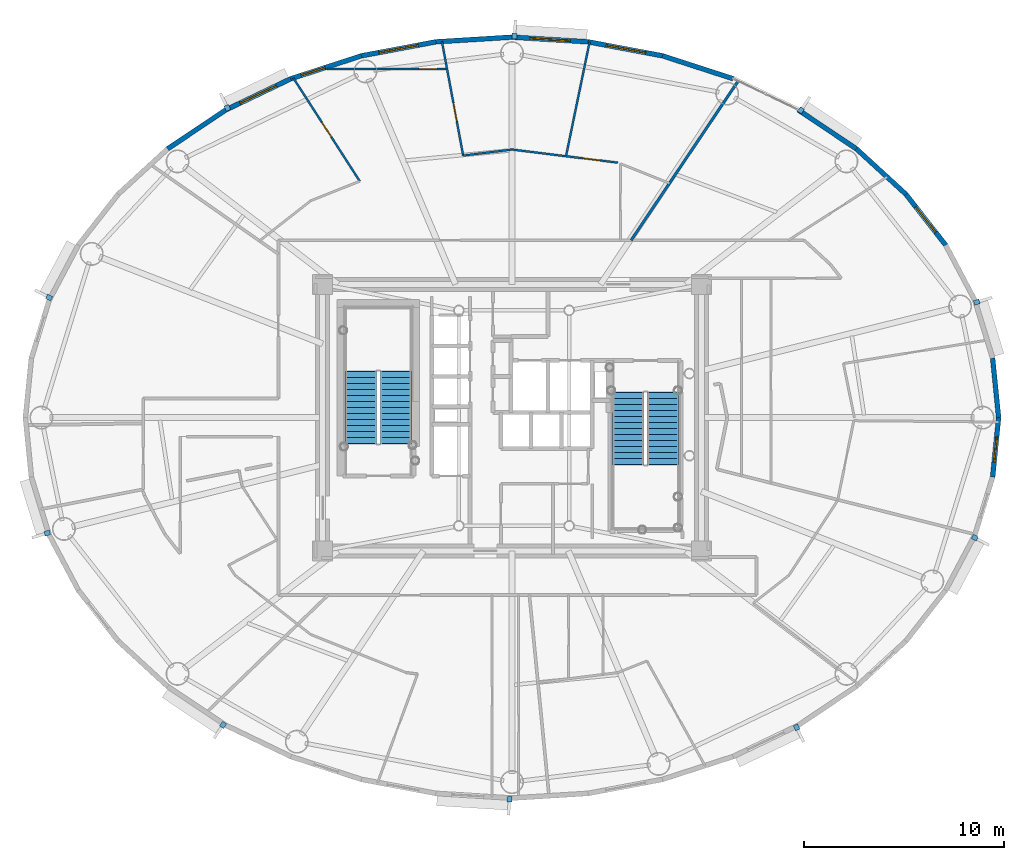
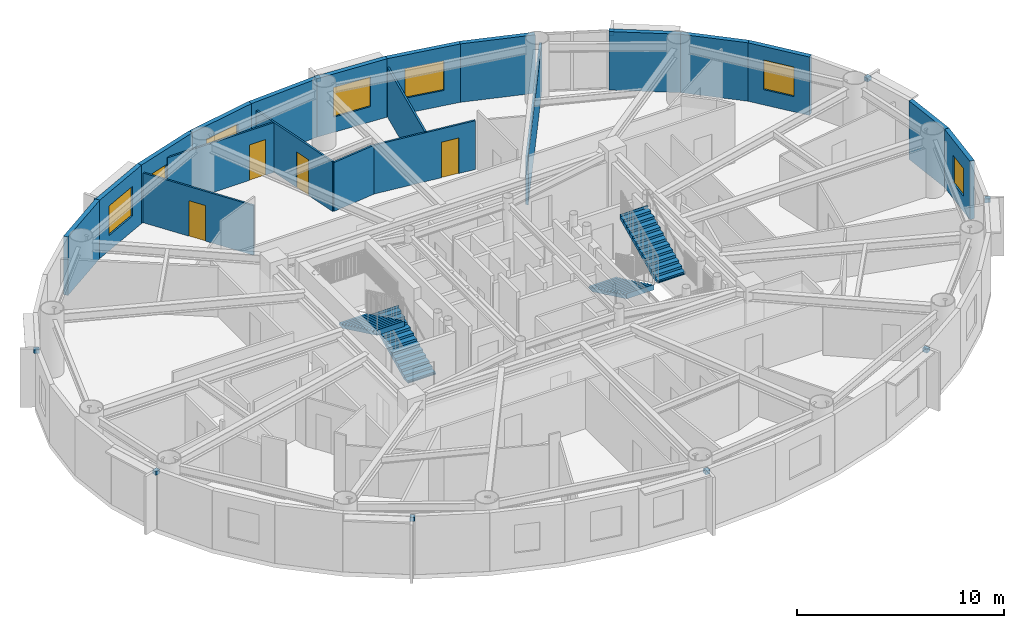
# One storey, part 11 of 18: 20 walls, 10 discrete accessories, 7 windows, 4 doors, 4 stair flights, 11 openings, 2 elements without a shape of their own.
"""IFC4 building model written with IfcOpenShell, lengths in metres."""

from ifc_helpers import new_model, si_unit, direction, frame, frame_2d, origin, origin_2d, place, context, subcontext, project, spatial, polyline, rectangle, outline, extrude, source, transform, mapped, material, layer, layer_set, type_object, element, fill, aggregate, save


model = new_model("IFC4")

# Units and contexts
model_context = context("Model", 3, precision=1e-05, world=origin(), true_north=direction((0.0, 1.0)))
body_context = subcontext(model_context, "Body", "Model", "MODEL_VIEW")
ifc_project = project(units=[si_unit("LENGTHUNIT", "METRE"), si_unit("AREAUNIT", "SQUARE_METRE"), si_unit("VOLUMEUNIT", "CUBIC_METRE"), si_unit("PLANEANGLEUNIT", "RADIAN"), si_unit("MASSUNIT", "GRAM", prefix="KILO")], contexts=[model_context])

# Site, building, storey
site_placement = place(None, origin())
site = spatial("IfcSite", under=ifc_project, at=site_placement, CompositionType="ELEMENT")
building_placement = place(site_placement, origin())
building = spatial("IfcBuilding", under=site, at=building_placement, Name="Linh Dai School and Residence Tower", CompositionType="ELEMENT")
storey_placement = place(building_placement, frame((0.0, 0.0, 259.050048828125)))
storey = spatial("IfcBuildingStorey", under=building, at=storey_placement, Name="L64", CompositionType="ELEMENT", Elevation=259.050048828125)

# Wall
ifc_material_1 = material(Name="Precast Concrete B45 (C35/45)", Category="concrete")
ifc_layer_1 = layer(ifc_material_1, 0.239990234375)
ifc_layer_set_1 = layer_set([ifc_layer_1], Name="Precast Concrete B45 (C35/45)")
wall_type_1 = type_object("IfcWallType", Name="EW-TC-240", PredefinedType="SOLIDWALL", material=ifc_layer_set_1)
wall_1_placement = place(storey_placement, frame((59.97705078125, 29.9638671875, 0.0), z_axis=(0.0, 0.0, 1.0), x_axis=(0.099990595253, -0.994988382274, 0.0)))
element("IfcWall", 1, at=wall_1_placement, inside=storey, type_object=wall_type_1, Name="L64 Terracotta Exterior Wall 01", PredefinedType="SOLIDWALL", context=body_context, shape_type="SweptSolid", body=[
    extrude(rectangle(XDim=2.978759765625, YDim=0.239990234375, at=frame_2d((1.4892578125, 0.0))), origin(), (0.0, 0.0, 1.0), 3.449951171875),
])

# Wall, opening, window
wall_2_placement = place(storey_placement, frame((55.6484375, 38.14453125, 0.0), z_axis=(0.0, 0.0, 1.0), x_axis=(0.616312344705, -0.787501805562, 0.0)))
wall_2 = element("IfcWall", 2, at=wall_2_placement, inside=storey, type_object=wall_type_1, Name="L64 Terracotta Exterior Wall 04", PredefinedType="SOLIDWALL", context=body_context, shape_type="SweptSolid", body=[
    extrude(rectangle(XDim=3.224609375, YDim=0.239990234375, at=frame_2d((1.6123046875, 0.0))), origin(), (0.0, 0.0, 1.0), 3.449951171875),
])
opening_1_placement = place(wall_2_placement, frame((0.81201171875, 0.0, 0.89990234375)))
opening_1 = element("IfcOpeningElement", 3, at=opening_1_placement, cuts=wall_2, Name="Opening W2", PredefinedType="OPENING", context=body_context, shape_type="SweptSolid", body=[
    extrude(rectangle(XDim=1.60009765625, YDim=1.75, at=origin_2d()), frame((0.800048828125, 0.1298828125, 0.875), z_axis=(0.0, -1.0, 0.0), x_axis=(1.0, 0.0, 0.0)), (0.0, 0.0, 1.0), 0.260009765625),
])
ifc_material_2 = material(Name="Double Low-E Insulated Glazing", Category="glass")
window_type_1 = type_object("IfcWindowType", Name="WN-RES-1600x1750", PartitioningType="DOUBLE_PANEL_VERTICAL", PredefinedType="WINDOW", material=ifc_material_2)
shared_shape_1 = source(origin(), body_context, "Body", "SweptSolid", [
    extrude(rectangle(XDim=1.60009765625, YDim=1.75, at=origin_2d()), frame((0.800048828125, 0.030029296875, 0.875), z_axis=(0.0, -1.0, 0.0), x_axis=(1.0, 0.0, 0.0)), (0.0, 0.0, 1.0), 0.06005859375),
])
window_1_placement = place(opening_1_placement, origin())
window_1 = element("IfcWindow", 4, at=window_1_placement, inside=storey, type_object=window_type_1, Name="L64 Exterior Window 04.1", OverallHeight=1.75, OverallWidth=1.60009765625, PartitioningType="DOUBLE_PANEL_VERTICAL", PredefinedType="WINDOW", context=body_context, shape_type="MappedRepresentation", body=[
    mapped(shared_shape_1, transform((0.0, 0.0, 0.0), x_axis=(1.0, 0.0, 0.0), y_axis=(0.0, 1.0, 0.0), z_axis=(0.0, 0.0, 1.0), scale=1.0)),
])
fill(opening_1, window_1)

# Walls
wall_3_placement = place(storey_placement, frame((53.17626953125, 40.410888671875, 0.0), z_axis=(0.0, 0.0, 1.0), x_axis=(0.737123922599, -0.675757591694, 0.0)))
element("IfcWall", 5, at=wall_3_placement, inside=storey, type_object=wall_type_1, Name="L64 Terracotta Exterior Wall 05", PredefinedType="SOLIDWALL", context=body_context, shape_type="SweptSolid", body=[
    extrude(rectangle(XDim=3.353759765625, YDim=0.239990234375, at=frame_2d((1.6767578125, 0.0))), origin(), (0.0, 0.0, 1.0), 3.449951171875),
])
wall_4_placement = place(storey_placement, frame((50.280029296875, 42.34765625, 0.0), z_axis=(0.0, 0.0, 1.0), x_axis=(0.831262496074, -0.555880079352, 0.0)))
element("IfcWall", 6, at=wall_4_placement, inside=storey, type_object=wall_type_1, Name="L64 Terracotta Exterior Wall 06", PredefinedType="SOLIDWALL", context=body_context, shape_type="SweptSolid", body=[
    extrude(rectangle(XDim=3.484130859375, YDim=0.239990234375, at=frame_2d((1.7421875, 0.0))), origin(), (0.0, 0.0, 1.0), 3.449951171875),
])
wall_5_placement = place(storey_placement, frame((43.50927734375, 45.048828125, 0.0), z_axis=(0.0, 0.0, 1.0), x_axis=(0.951210789182, -0.308541787354, 0.0)))
element("IfcWall", 7, at=wall_5_placement, inside=storey, type_object=wall_type_1, Name="L64 Terracotta Exterior Wall 08", PredefinedType="SOLIDWALL", context=body_context, shape_type="SweptSolid", body=[
    extrude(rectangle(XDim=3.702392578125, YDim=0.239990234375, at=frame_2d((1.85107421875, 0.0))), origin(), (0.0, 0.0, 1.0), 3.449951171875),
])

# Wall, opening, window
wall_6_placement = place(storey_placement, frame((39.801513671875, 45.745849609375, 0.0), z_axis=(0.0, 0.0, 1.0), x_axis=(0.982784898575, -0.184753465822, 0.0)))
wall_6 = element("IfcWall", 8, at=wall_6_placement, inside=storey, type_object=wall_type_1, Name="L64 Terracotta Exterior Wall 09", PredefinedType="SOLIDWALL", context=body_context, shape_type="SweptSolid", body=[
    extrude(rectangle(XDim=3.772705078125, YDim=0.239990234375, at=frame_2d((1.88623046875, 0.0))), origin(), (0.0, 0.0, 1.0), 3.449951171875),
])
opening_2_placement = place(wall_6_placement, frame((0.915771484375, 0.0, 0.89990234375)))
opening_2 = element("IfcOpeningElement", 9, at=opening_2_placement, cuts=wall_6, Name="Opening W1", PredefinedType="OPENING", context=body_context, shape_type="SweptSolid", body=[
    extrude(rectangle(XDim=2.0, YDim=1.75, at=origin_2d()), frame((1.0, 0.1298828125, 0.875), z_axis=(0.0, -1.0, 0.0), x_axis=(1.0, 0.0, 0.0)), (0.0, 0.0, 1.0), 0.260009765625),
])
window_type_2 = type_object("IfcWindowType", Name="WN-RES-2000x1750", PartitioningType="DOUBLE_PANEL_VERTICAL", PredefinedType="WINDOW", material=ifc_material_2)
shared_shape_2 = source(origin(), body_context, "Body", "SweptSolid", [
    extrude(rectangle(XDim=2.0, YDim=1.75, at=origin_2d()), frame((1.0, 0.030029296875, 0.875), z_axis=(0.0, -1.0, 0.0), x_axis=(1.0, 0.0, 0.0)), (0.0, 0.0, 1.0), 0.06005859375),
])
window_2_placement = place(opening_2_placement, origin())
window_2 = element("IfcWindow", 10, at=window_2_placement, inside=storey, type_object=window_type_2, Name="L64 Exterior Window 09.1", OverallHeight=1.75, OverallWidth=2.0, PartitioningType="DOUBLE_PANEL_VERTICAL", PredefinedType="WINDOW", context=body_context, shape_type="MappedRepresentation", body=[
    mapped(shared_shape_2, transform((0.0, 0.0, 0.0), x_axis=(1.0, 0.0, 0.0), y_axis=(0.0, 1.0, 0.0), z_axis=(0.0, 0.0, 1.0), scale=1.0)),
])
fill(opening_2, window_2)

wall_7_placement = place(storey_placement, frame((36.0, 45.97998046875, 0.0), z_axis=(0.0, 0.0, 1.0), x_axis=(0.998108785312, -0.06147237333, 0.0)))
wall_7 = element("IfcWall", 11, at=wall_7_placement, inside=storey, type_object=wall_type_1, Name="L64 Terracotta Exterior Wall 10", PredefinedType="SOLIDWALL", context=body_context, shape_type="SweptSolid", body=[
    extrude(rectangle(XDim=3.808837890625, YDim=0.239990234375, at=frame_2d((1.904296875, 0.0))), origin(), (0.0, 0.0, 1.0), 3.449951171875),
])
opening_3_placement = place(wall_7_placement, frame((0.904296875, 0.0, 0.89990234375)))
opening_3 = element("IfcOpeningElement", 12, at=opening_3_placement, cuts=wall_7, Name="Opening W1", PredefinedType="OPENING", context=body_context, shape_type="SweptSolid", body=[
    extrude(rectangle(XDim=2.0, YDim=1.75, at=origin_2d()), frame((1.0, 0.1298828125, 0.875), z_axis=(0.0, -1.0, 0.0), x_axis=(1.0, 0.0, 0.0)), (0.0, 0.0, 1.0), 0.260009765625),
])
window_3_placement = place(opening_3_placement, origin())
window_3 = element("IfcWindow", 13, at=window_3_placement, inside=storey, type_object=window_type_2, Name="L64 Exterior Window 10.1", OverallHeight=1.75, OverallWidth=2.0, PartitioningType="DOUBLE_PANEL_VERTICAL", PredefinedType="WINDOW", context=body_context, shape_type="MappedRepresentation", body=[
    mapped(shared_shape_2, transform((0.0, 0.0, 0.0), x_axis=(1.0, 0.0, 0.0), y_axis=(0.0, 1.0, 0.0), z_axis=(0.0, 0.0, 1.0), scale=1.0)),
])
fill(opening_3, window_3)

# Wall
wall_8_placement = place(storey_placement, frame((32.198486328125, 45.745849609375, 0.0), z_axis=(0.0, 0.0, 1.0), x_axis=(0.998108785312, 0.06147237333, 0.0)))
element("IfcWall", 14, at=wall_8_placement, inside=storey, type_object=wall_type_1, Name="L64 Terracotta Exterior Wall 11", PredefinedType="SOLIDWALL", context=body_context, shape_type="SweptSolid", body=[
    extrude(rectangle(XDim=3.808837890625, YDim=0.239990234375, at=frame_2d((1.904296875, 0.0))), origin(), (0.0, 0.0, 1.0), 3.449951171875),
])

# Wall, opening, window
wall_9_placement = place(storey_placement, frame((28.49072265625, 45.048828125, 0.0), z_axis=(0.0, 0.0, 1.0), x_axis=(0.982784898575, 0.184753465822, 0.0)))
wall_9 = element("IfcWall", 15, at=wall_9_placement, inside=storey, type_object=wall_type_1, Name="L64 Terracotta Exterior Wall 12", PredefinedType="SOLIDWALL", context=body_context, shape_type="SweptSolid", body=[
    extrude(rectangle(XDim=3.772705078125, YDim=0.239990234375, at=frame_2d((1.88623046875, 0.0))), origin(), (0.0, 0.0, 1.0), 3.449951171875),
])
opening_4_placement = place(wall_9_placement, frame((0.88623046875, 0.0, 0.89990234375)))
opening_4 = element("IfcOpeningElement", 16, at=opening_4_placement, cuts=wall_9, Name="Opening W1", PredefinedType="OPENING", context=body_context, shape_type="SweptSolid", body=[
    extrude(rectangle(XDim=2.0, YDim=1.75, at=origin_2d()), frame((1.0, 0.1298828125, 0.875), z_axis=(0.0, -1.0, 0.0), x_axis=(1.0, 0.0, 0.0)), (0.0, 0.0, 1.0), 0.260009765625),
])
window_4_placement = place(opening_4_placement, origin())
window_4 = element("IfcWindow", 17, at=window_4_placement, inside=storey, type_object=window_type_2, Name="L64 Exterior Window 12.1", OverallHeight=1.75, OverallWidth=2.0, PartitioningType="DOUBLE_PANEL_VERTICAL", PredefinedType="WINDOW", context=body_context, shape_type="MappedRepresentation", body=[
    mapped(shared_shape_2, transform((0.0, 0.0, 0.0), x_axis=(1.0, 0.0, 0.0), y_axis=(0.0, 1.0, 0.0), z_axis=(0.0, 0.0, 1.0), scale=1.0)),
])
fill(opening_4, window_4)

wall_10_placement = place(storey_placement, frame((24.968994140625, 43.906494140625, 0.0), z_axis=(0.0, 0.0, 1.0), x_axis=(0.951210789182, 0.308541787354, 0.0)))
wall_10 = element("IfcWall", 18, at=wall_10_placement, inside=storey, type_object=wall_type_1, Name="L64 Terracotta Exterior Wall 13", PredefinedType="SOLIDWALL", context=body_context, shape_type="SweptSolid", body=[
    extrude(rectangle(XDim=3.702392578125, YDim=0.239990234375, at=frame_2d((1.85107421875, 0.0))), origin(), (0.0, 0.0, 1.0), 3.449951171875),
])
opening_5_placement = place(wall_10_placement, frame((0.542236328125, 0.0, 0.89990234375)))
opening_5 = element("IfcOpeningElement", 19, at=opening_5_placement, cuts=wall_10, Name="Opening W3", PredefinedType="OPENING", context=body_context, shape_type="SweptSolid", body=[
    extrude(rectangle(XDim=1.25, YDim=1.64990234375, at=origin_2d()), frame((0.625, 0.1298828125, 0.824951171875), z_axis=(0.0, -1.0, 0.0), x_axis=(1.0, 0.0, 0.0)), (0.0, 0.0, 1.0), 0.260009765625),
])
window_type_3 = type_object("IfcWindowType", Name="WN-RES-1250x1650", PartitioningType="SINGLE_PANEL", PredefinedType="WINDOW", material=ifc_material_2)
shared_shape_3 = source(origin(), body_context, "Body", "SweptSolid", [
    extrude(rectangle(XDim=1.25, YDim=1.64990234375, at=origin_2d()), frame((0.625, 0.030029296875, 0.824951171875), z_axis=(0.0, -1.0, 0.0), x_axis=(1.0, 0.0, 0.0)), (0.0, 0.0, 1.0), 0.06005859375),
])
window_5_placement = place(opening_5_placement, origin())
window_5 = element("IfcWindow", 20, at=window_5_placement, inside=storey, type_object=window_type_3, Name="L64 Dwelling Window U6405-LIV", OverallHeight=1.64990234375, OverallWidth=1.25, PartitioningType="SINGLE_PANEL", PredefinedType="WINDOW", context=body_context, shape_type="MappedRepresentation", body=[
    mapped(shared_shape_3, transform((0.0, 0.0, 0.0), x_axis=(1.0, 0.0, 0.0), y_axis=(0.0, 1.0, 0.0), z_axis=(0.0, 0.0, 1.0), scale=1.0)),
])
fill(opening_5, window_5)

wall_11_placement = place(storey_placement, frame((21.719970703125, 42.34765625, 0.0), z_axis=(0.0, 0.0, 1.0), x_axis=(0.901598104751, 0.432574684313, 0.0)))
wall_11 = element("IfcWall", 21, at=wall_11_placement, inside=storey, type_object=wall_type_1, Name="L64 Terracotta Exterior Wall 14", PredefinedType="SOLIDWALL", context=body_context, shape_type="SweptSolid", body=[
    extrude(rectangle(XDim=3.603515625, YDim=0.239990234375, at=frame_2d((1.8017578125, 0.0))), origin(), (0.0, 0.0, 1.0), 3.449951171875),
])
opening_6_placement = place(wall_11_placement, frame((0.802001953125, 0.0, 0.89990234375)))
opening_6 = element("IfcOpeningElement", 22, at=opening_6_placement, cuts=wall_11, Name="Opening W1", PredefinedType="OPENING", context=body_context, shape_type="SweptSolid", body=[
    extrude(rectangle(XDim=2.0, YDim=1.75, at=origin_2d()), frame((1.0, 0.1298828125, 0.875), z_axis=(0.0, -1.0, 0.0), x_axis=(1.0, 0.0, 0.0)), (0.0, 0.0, 1.0), 0.260009765625),
])
window_6_placement = place(opening_6_placement, origin())
window_6 = element("IfcWindow", 23, at=window_6_placement, inside=storey, type_object=window_type_2, Name="L64 Exterior Window 14.1", OverallHeight=1.75, OverallWidth=2.0, PartitioningType="DOUBLE_PANEL_VERTICAL", PredefinedType="WINDOW", context=body_context, shape_type="MappedRepresentation", body=[
    mapped(shared_shape_2, transform((0.0, 0.0, 0.0), x_axis=(1.0, 0.0, 0.0), y_axis=(0.0, 1.0, 0.0), z_axis=(0.0, 0.0, 1.0), scale=1.0)),
])
fill(opening_6, window_6)

# Wall
wall_12_placement = place(storey_placement, frame((18.82373046875, 40.410888671875, 0.0), z_axis=(0.0, 0.0, 1.0), x_axis=(0.831262496074, 0.555880079352, 0.0)))
element("IfcWall", 24, at=wall_12_placement, inside=storey, type_object=wall_type_1, Name="L64 Terracotta Exterior Wall 15", PredefinedType="SOLIDWALL", context=body_context, shape_type="SweptSolid", body=[
    extrude(rectangle(XDim=3.484130859375, YDim=0.239990234375, at=frame_2d((1.7421875, 0.0))), origin(), (0.0, 0.0, 1.0), 3.449951171875),
])

# Wall, opening, window
wall_13_placement = place(storey_placement, frame((60.27490234375, 27.0, 0.0), z_axis=(0.0, 0.0, 1.0), x_axis=(-0.099990595253, -0.994988382274, 0.0)))
wall_13 = element("IfcWall", 25, at=wall_13_placement, inside=storey, type_object=wall_type_1, Name="L64 Terracotta Exterior Wall 40", PredefinedType="SOLIDWALL", context=body_context, shape_type="SweptSolid", body=[
    extrude(rectangle(XDim=2.978759765625, YDim=0.239990234375, at=frame_2d((1.4892578125, 0.0))), origin(), (0.0, 0.0, 1.0), 3.449951171875),
])
opening_7_placement = place(wall_13_placement, frame((0.9736328125, 0.0, 0.89990234375)))
opening_7 = element("IfcOpeningElement", 26, at=opening_7_placement, cuts=wall_13, Name="Opening W3", PredefinedType="OPENING", context=body_context, shape_type="SweptSolid", body=[
    extrude(rectangle(XDim=1.25, YDim=1.64990234375, at=origin_2d()), frame((0.625, 0.1298828125, 0.824951171875), z_axis=(0.0, -1.0, 0.0), x_axis=(1.0, 0.0, 0.0)), (0.0, 0.0, 1.0), 0.260009765625),
])
window_7_placement = place(opening_7_placement, origin())
window_7 = element("IfcWindow", 27, at=window_7_placement, inside=storey, type_object=window_type_3, Name="L64 Exterior Window 40.1", OverallHeight=1.64990234375, OverallWidth=1.25, PartitioningType="SINGLE_PANEL", PredefinedType="WINDOW", context=body_context, shape_type="MappedRepresentation", body=[
    mapped(shared_shape_3, transform((0.0, 0.0, 0.0), x_axis=(1.0, 0.0, 0.0), y_axis=(0.0, 1.0, 0.0), z_axis=(0.0, 0.0, 1.0), scale=1.0)),
])
fill(opening_7, window_7)

# Wall
ifc_material_3 = material(Name="Autoclaved Aerated Concrete Blockwork", Category="masonry")
ifc_layer_2 = layer(ifc_material_3, 0.135009765625)
ifc_layer_set_2 = layer_set([ifc_layer_2], Name="Autoclaved Aerated Concrete Blockwork")
wall_type_2 = type_object("IfcWallType", Name="IW-CORR-135-EI90", PredefinedType="PARTITIONING", material=ifc_layer_set_2)
wall_14_placement = place(storey_placement, frame((41.94580078125, 35.85009765625, 0.0), z_axis=(0.0, 0.0, 1.0), x_axis=(0.557670345873, 0.830062518931, 0.0)))
element("IfcWall", 28, at=wall_14_placement, inside=storey, type_object=wall_type_2, Name="L64 Interior Partition Wall 072", PredefinedType="PARTITIONING", context=body_context, shape_type="SweptSolid", body=[
    extrude(rectangle(XDim=9.56787109375, YDim=0.135009765625, at=frame_2d((4.783935546875, 0.0))), origin(), (0.0, 0.0, 1.0), 2.885009765625),
])

# Wall, opening, door
ifc_material_4 = material(Name="Gypsum Plasterboard Acoustic Stud Partition", Category="masonry")
ifc_layer_3 = layer(ifc_material_4, 0.10009765625)
ifc_layer_set_3 = layer_set([ifc_layer_3], Name="Gypsum Plasterboard Acoustic Stud Partition")
wall_type_3 = type_object("IfcWallType", Name="IW-UNIT-100", PredefinedType="PARTITIONING", material=ifc_layer_set_3)
wall_15_placement = place(storey_placement, frame((25.08642578125, 43.949951171875, 0.0), z_axis=(0.0, 0.0, 1.0), x_axis=(0.54137931016, -0.840778474112, 0.0)))
wall_15 = element("IfcWall", 29, at=wall_15_placement, inside=storey, type_object=wall_type_3, Name="L64 Interior Partition Wall 021", PredefinedType="PARTITIONING", context=body_context, shape_type="SweptSolid", body=[
    extrude(rectangle(XDim=6.13134765625, YDim=0.10009765625, at=frame_2d((3.065673828125, 0.0))), origin(), (0.0, 0.0, 1.0), 2.93505859375),
])
opening_8_placement = place(wall_15_placement, frame((2.615478515625, 0.0, 0.0)))
opening_8 = element("IfcOpeningElement", 30, at=opening_8_placement, cuts=wall_15, Name="Opening D05", PredefinedType="OPENING", context=body_context, shape_type="SweptSolid", body=[
    extrude(rectangle(XDim=0.89990234375, YDim=2.10009765625, at=origin_2d()), frame((0.449951171875, 0.06005859375, 1.050048828125), z_axis=(0.0, -1.0, 0.0), x_axis=(1.0, 0.0, 0.0)), (0.0, 0.0, 1.0), 0.1201171875),
])
ifc_material_5 = material(Name="Engineered Timber Internal Door", Category="wood")
door_type = type_object("IfcDoorType", Name="DR-INT-900x2100", OperationType="NOTDEFINED", PredefinedType="DOOR", material=ifc_material_5)
shared_shape_4 = source(origin(), body_context, "Body", "SweptSolid", [
    extrude(rectangle(XDim=0.89990234375, YDim=2.10009765625, at=origin_2d()), frame((0.449951171875, 0.02490234375, 1.050048828125), z_axis=(0.0, -1.0, 0.0), x_axis=(1.0, 0.0, 0.0)), (0.0, 0.0, 1.0), 0.050048828125),
])
door_1_placement = place(opening_8_placement, origin())
door_1 = element("IfcDoor", 31, at=door_1_placement, inside=storey, type_object=door_type, Name="L64 Apartment U6405 Principal Bedroom 3 Door", OperationType="SINGLE_SWING_RIGHT", OverallHeight=2.10009765625, OverallWidth=0.89990234375, PredefinedType="DOOR", context=body_context, shape_type="MappedRepresentation", body=[
    mapped(shared_shape_4, transform((0.0, 0.0, 0.0), x_axis=(1.0, 0.0, 0.0), y_axis=(0.0, 1.0, 0.0), z_axis=(0.0, 0.0, 1.0), scale=1.0)),
])
fill(opening_8, door_1)

wall_16_placement = place(storey_placement, frame((26.771728515625, 44.383056640625, 0.0), z_axis=(0.0, 0.0, 1.0), x_axis=(1.0, 0.0, 0.0)))
wall_16 = element("IfcWall", 32, at=wall_16_placement, inside=storey, type_object=wall_type_3, Name="L64 Interior Partition Wall 024", PredefinedType="PARTITIONING", context=body_context, shape_type="SweptSolid", body=[
    extrude(rectangle(XDim=5.989990234375, YDim=0.10009765625, at=frame_2d((2.9951171875, 0.0))), origin(), (0.0, 0.0, 1.0), 2.93505859375),
])
opening_9_placement = place(wall_16_placement, frame((4.58203125, 0.0, 0.0)))
opening_9 = element("IfcOpeningElement", 33, at=opening_9_placement, cuts=wall_16, Name="Opening D05", PredefinedType="OPENING", context=body_context, shape_type="SweptSolid", body=[
    extrude(rectangle(XDim=0.89990234375, YDim=2.10009765625, at=origin_2d()), frame((0.449951171875, 0.06005859375, 1.050048828125), z_axis=(0.0, -1.0, 0.0), x_axis=(1.0, 0.0, 0.0)), (0.0, 0.0, 1.0), 0.1201171875),
])
door_2_placement = place(opening_9_placement, origin())
door_2 = element("IfcDoor", 34, at=door_2_placement, inside=storey, type_object=door_type, Name="L64 Apartment U6405 Kitchen Door", OperationType="SINGLE_SWING_RIGHT", OverallHeight=2.10009765625, OverallWidth=0.89990234375, PredefinedType="DOOR", context=body_context, shape_type="MappedRepresentation", body=[
    mapped(shared_shape_4, transform((0.0, 0.0, 0.0), x_axis=(1.0, 0.0, 0.0), y_axis=(0.0, 1.0, 0.0), z_axis=(0.0, 0.0, 1.0), scale=1.0)),
])
fill(opening_9, door_2)

wall_17_placement = place(storey_placement, frame((32.50341796875, 45.76953125, 0.0), z_axis=(0.0, 0.0, 1.0), x_axis=(0.183138923076, -0.983087043376, 0.0)))
wall_17 = element("IfcWall", 35, at=wall_17_placement, inside=storey, type_object=wall_type_3, Name="L64 Interior Partition Wall 035", PredefinedType="PARTITIONING", context=body_context, shape_type="SweptSolid", body=[
    extrude(rectangle(XDim=5.79638671875, YDim=0.10009765625, at=frame_2d((2.898193359375, 0.0))), origin(), (0.0, 0.0, 1.0), 2.93505859375),
])
opening_10_placement = place(wall_17_placement, frame((3.13330078125, 0.0, 0.0)))
opening_10 = element("IfcOpeningElement", 36, at=opening_10_placement, cuts=wall_17, Name="Opening D05", PredefinedType="OPENING", context=body_context, shape_type="SweptSolid", body=[
    extrude(rectangle(XDim=0.89990234375, YDim=2.10009765625, at=origin_2d()), frame((0.449951171875, 0.06005859375, 1.050048828125), z_axis=(0.0, -1.0, 0.0), x_axis=(1.0, 0.0, 0.0)), (0.0, 0.0, 1.0), 0.1201171875),
])
door_3_placement = place(opening_10_placement, origin())
door_3 = element("IfcDoor", 37, at=door_3_placement, inside=storey, type_object=door_type, Name="L64 Apartment U6405 Bedroom 2 Door", OperationType="SINGLE_SWING_LEFT", OverallHeight=2.10009765625, OverallWidth=0.89990234375, PredefinedType="DOOR", context=body_context, shape_type="MappedRepresentation", body=[
    mapped(shared_shape_4, transform((0.0, 0.0, 0.0), x_axis=(1.0, 0.0, 0.0), y_axis=(0.0, 1.0, 0.0), z_axis=(0.0, 0.0, 1.0), scale=1.0)),
])
fill(opening_10, door_3)

# Wall
wall_18_placement = place(storey_placement, frame((33.56494140625, 40.071533203125, 0.0), z_axis=(0.0, 0.0, 1.0), x_axis=(0.992396815028, 0.1230794927, 0.0)))
element("IfcWall", 38, at=wall_18_placement, inside=storey, type_object=wall_type_3, Name="L64 Interior Partition Wall 036", PredefinedType="PARTITIONING", context=body_context, shape_type="SweptSolid", body=[
    extrude(rectangle(XDim=2.45361328125, YDim=0.10009765625, at=frame_2d((1.226806640625, 0.0))), origin(), (0.0, 0.0, 1.0), 2.885009765625),
])

# Wall, opening, door
wall_19_placement = place(storey_placement, frame((36.0, 40.37353515625, 0.0), z_axis=(0.0, 0.0, 1.0), x_axis=(0.992398169186, -0.123068573551, 0.0)))
wall_19 = element("IfcWall", 39, at=wall_19_placement, inside=storey, type_object=wall_type_3, Name="L64 Interior Partition Wall 052", PredefinedType="PARTITIONING", context=body_context, shape_type="SweptSolid", body=[
    extrude(rectangle(XDim=5.318603515625, YDim=0.10009765625, at=frame_2d((2.6591796875, 0.0))), origin(), (0.0, 0.0, 1.0), 2.885009765625),
])
opening_11_placement = place(wall_19_placement, frame((3.54638671875, 0.0, 0.0)))
opening_11 = element("IfcOpeningElement", 40, at=opening_11_placement, cuts=wall_19, Name="Opening D05", PredefinedType="OPENING", context=body_context, shape_type="SweptSolid", body=[
    extrude(rectangle(XDim=0.89990234375, YDim=2.10009765625, at=origin_2d()), frame((0.449951171875, 0.06005859375, 1.050048828125), z_axis=(0.0, -1.0, 0.0), x_axis=(1.0, 0.0, 0.0)), (0.0, 0.0, 1.0), 0.1201171875),
])
door_4_placement = place(opening_11_placement, origin())
door_4 = element("IfcDoor", 41, at=door_4_placement, inside=storey, type_object=door_type, Name="L64 Apartment U6405 Bedroom 1 Door", OperationType="SINGLE_SWING_RIGHT", OverallHeight=2.10009765625, OverallWidth=0.89990234375, PredefinedType="DOOR", context=body_context, shape_type="MappedRepresentation", body=[
    mapped(shared_shape_4, transform((0.0, 0.0, 0.0), x_axis=(1.0, 0.0, 0.0), y_axis=(0.0, 1.0, 0.0), z_axis=(0.0, 0.0, 1.0), scale=1.0)),
])
fill(opening_11, door_4)

# Wall
wall_20_placement = place(storey_placement, frame((38.693603515625, 40.03955078125, 0.0), z_axis=(0.0, 0.0, 1.0), x_axis=(0.20228508648, 0.979326678789, 0.0)))
element("IfcWall", 42, at=wall_20_placement, inside=storey, type_object=wall_type_3, Name="L64 Interior Partition Wall 061", PredefinedType="PARTITIONING", context=body_context, shape_type="SweptSolid", body=[
    extrude(rectangle(XDim=5.818603515625, YDim=0.10009765625, at=frame_2d((2.9091796875, 0.0))), origin(), (0.0, 0.0, 1.0), 2.93505859375),
])

# Stair, stair flights
ifc_material_6 = material(Name="Concrete B45 (C35/45)", Category="concrete")
stair_type = type_object("IfcStairType", Name="ST-DOG-1550-R1442", PredefinedType="HALF_TURN_STAIR", material=ifc_material_6)
stair_1_placement = place(storey_placement, origin())
stair_1 = element("IfcStair", 43, at=stair_1_placement, inside=storey, type_object=stair_type, Name="L64 Core Smokeproof Exit Stair ST1", PredefinedType="HALF_TURN_STAIR")
stair_flight_type = type_object("IfcStairFlightType", Name="STF-STR-1550-R1442", PredefinedType="STRAIGHT", material=ifc_material_6)
shared_shape_5 = source(origin(), body_context, "Body", "SweptSolid", [
    extrude(outline(polyline([(-0.02490234375, 0.0), (-0.02490234375, 0.06005859375), (0.0, 0.06005859375), (0.0, 0.144287109375), (0.300048828125, 0.144287109375), (0.300048828125, 0.28857421875), (0.60009765625, 0.28857421875), (0.60009765625, 0.4326171875), (0.89990234375, 0.4326171875), (0.89990234375, 0.576904296875), (1.199951171875, 0.576904296875), (1.199951171875, 0.72119140625), (1.5, 0.72119140625), (1.5, 0.865478515625), (1.800048828125, 0.865478515625), (1.800048828125, 1.009521484375), (2.10009765625, 1.009521484375), (2.10009765625, 1.15380859375), (2.39990234375, 1.15380859375), (2.39990234375, 1.298095703125), (2.699951171875, 1.298095703125), (2.699951171875, 1.4423828125), (3.0, 1.4423828125), (3.0, 1.58642578125), (3.300048828125, 1.58642578125), (3.300048828125, 1.730712890625), (3.60009765625, 1.730712890625), (3.60009765625, 1.875), (3.625, 1.875), (3.625, 1.564453125), (3.60009765625, 1.564453125), (0.345947265625, 0.0), (-0.02490234375, 0.0)])), frame((0.0, 0.77490234375, 0.0), z_axis=(0.0, -1.0, 0.0), x_axis=(1.0, 0.0, 0.0)), (0.0, 0.0, 1.0), 1.550048828125),
])
stair_flight_1_placement = place(storey_placement, frame((30.205078125, 25.699951171875, 0.0), z_axis=(0.0, 0.0, 1.0), x_axis=(0.0, 1.0, 0.0)))
stair_flight_1 = element("IfcStairFlight", 44, at=stair_flight_1_placement, type_object=stair_flight_type, Name="ST1 flight 1", NumberOfRisers=13, NumberOfTreads=12, PredefinedType="STRAIGHT", RiserHeight=0.144230769, TreadLength=0.3, context=body_context, shape_type="MappedRepresentation", body=[
    mapped(shared_shape_5, transform((0.0, 0.0, 0.0), x_axis=(1.0, 0.0, 0.0), y_axis=(0.0, 1.0, 0.0), z_axis=(0.0, 0.0, 1.0), scale=1.0)),
])
stair_flight_2_placement = place(storey_placement, frame((28.455078125, 29.300048828125, 1.875), z_axis=(0.0, 0.0, 1.0), x_axis=(0.0, -1.0, 0.0)))
stair_flight_2 = element("IfcStairFlight", 45, at=stair_flight_2_placement, type_object=stair_flight_type, Name="ST1 flight 2", NumberOfRisers=13, NumberOfTreads=12, PredefinedType="STRAIGHT", RiserHeight=0.144230769, TreadLength=0.3, context=body_context, shape_type="MappedRepresentation", body=[
    mapped(shared_shape_5, transform((0.0, 0.0, 0.0), x_axis=(1.0, 0.0, 0.0), y_axis=(0.0, 1.0, 0.0), z_axis=(0.0, 0.0, 1.0), scale=1.0)),
])
aggregate(stair_1, [stair_flight_1, stair_flight_2])

stair_2_placement = place(storey_placement, origin())
stair_2 = element("IfcStair", 46, at=stair_2_placement, inside=storey, type_object=stair_type, Name="L64 Core Smokeproof Exit Stair ST2", PredefinedType="HALF_TURN_STAIR")
stair_flight_3_placement = place(storey_placement, frame((41.794921875, 28.25, 0.0), z_axis=(0.0, 0.0, 1.0), x_axis=(0.0, -1.0, 0.0)))
stair_flight_3 = element("IfcStairFlight", 47, at=stair_flight_3_placement, type_object=stair_flight_type, Name="ST2 flight 1", NumberOfRisers=13, NumberOfTreads=12, PredefinedType="STRAIGHT", RiserHeight=0.144230769, TreadLength=0.3, context=body_context, shape_type="MappedRepresentation", body=[
    mapped(shared_shape_5, transform((0.0, 0.0, 0.0), x_axis=(1.0, 0.0, 0.0), y_axis=(0.0, 1.0, 0.0), z_axis=(0.0, 0.0, 1.0), scale=1.0)),
])
stair_flight_4_placement = place(storey_placement, frame((43.544921875, 24.64990234375, 1.875), z_axis=(0.0, 0.0, 1.0), x_axis=(0.0, 1.0, 0.0)))
stair_flight_4 = element("IfcStairFlight", 48, at=stair_flight_4_placement, type_object=stair_flight_type, Name="ST2 flight 2", NumberOfRisers=13, NumberOfTreads=12, PredefinedType="STRAIGHT", RiserHeight=0.144230769, TreadLength=0.3, context=body_context, shape_type="MappedRepresentation", body=[
    mapped(shared_shape_5, transform((0.0, 0.0, 0.0), x_axis=(1.0, 0.0, 0.0), y_axis=(0.0, 1.0, 0.0), z_axis=(0.0, 0.0, 1.0), scale=1.0)),
])
aggregate(stair_2, [stair_flight_3, stair_flight_4])

# Discrete accessories
ifc_material_7 = material(Name="Structural Steel S355JR", Category="steel")
discrete_accessory_type = type_object("IfcDiscreteAccessoryType", Name="ACC-BRK-S355", PredefinedType="BRACKET", material=ifc_material_7)
shared_shape_6 = source(origin(), body_context, "Body", "SweptSolid", [
    extrude(rectangle(XDim=0.280029296875, YDim=0.239990234375, at=origin_2d()), origin(), (0.0, 0.0, 1.0), 0.219970703125),
])
for number, where, z_axis, x_axis, name in (
    (49, (59.182861328125, 32.7587890625, 3.2001953125), (0.0, 0.0, 1.0), (0.956064190994, 0.2931574026, 0.0), "L64 Facade Frame Anchor Bracket 02"),
    (50, (50.413330078125, 42.330810546875, 3.2001953125), (0.0, 0.0, 1.0), (0.555887222025, 0.831257719597, 0.0), "L64 Facade Frame Anchor Bracket 06"),
    (51, (36.12353515625, 46.032470703125, 3.2001953125), (0.0, 0.0, 1.0), (0.061504437922, 0.998106809974, 0.0), "L64 Facade Frame Anchor Bracket 10"),
    (52, (21.802001953125, 42.45361328125, 3.2001953125), (0.0, 0.0, 1.0), (-0.432593941973, 0.901588864931, 0.0), "L64 Facade Frame Anchor Bracket 14"),
    (53, (12.912841796875, 32.989990234375, 3.2001953125), (0.0, 0.0, 1.0), (-0.883928950783, 0.467621224891, 0.0), "L64 Facade Frame Anchor Bracket 18"),
    (54, (12.817138671875, 21.2412109375, 3.2001953125), (0.0, 0.0, 1.0), (-0.956064190994, -0.2931574026, 0.0), "L64 Facade Frame Anchor Bracket 22"),
    (55, (21.586669921875, 11.669189453125, 3.2001953125), (0.0, 0.0, 1.0), (-0.555887222025, -0.831257719597, 0.0), "L64 Facade Frame Anchor Bracket 26"),
    (56, (35.87646484375, 7.967529296875, 3.2001953125), (0.0, 0.0, 1.0), (-0.061504437922, -0.998106809974, 0.0), "L64 Facade Frame Anchor Bracket 30"),
    (57, (50.197998046875, 11.54638671875, 3.2001953125), (0.0, 0.0, 1.0), (0.432593941973, -0.901588864931, 0.0), "L64 Facade Frame Anchor Bracket 34"),
    (58, (59.087158203125, 21.010009765625, 3.2001953125), (0.0, 0.0, 1.0), (0.883928950783, -0.467621224891, 0.0), "L64 Facade Frame Anchor Bracket 38"),
):
    element("IfcDiscreteAccessory", number, at=place(storey_placement, frame(where, z_axis=z_axis, x_axis=x_axis)), inside=storey, type_object=discrete_accessory_type, Name=name, PredefinedType="BRACKET", context=body_context, shape_type="MappedRepresentation", body=[
        mapped(shared_shape_6, transform((0.0, 0.0, 0.0), x_axis=(1.0, 0.0, 0.0), y_axis=(0.0, 1.0, 0.0), z_axis=(0.0, 0.0, 1.0), scale=1.0)),
    ])

save(model, "model.ifc")
